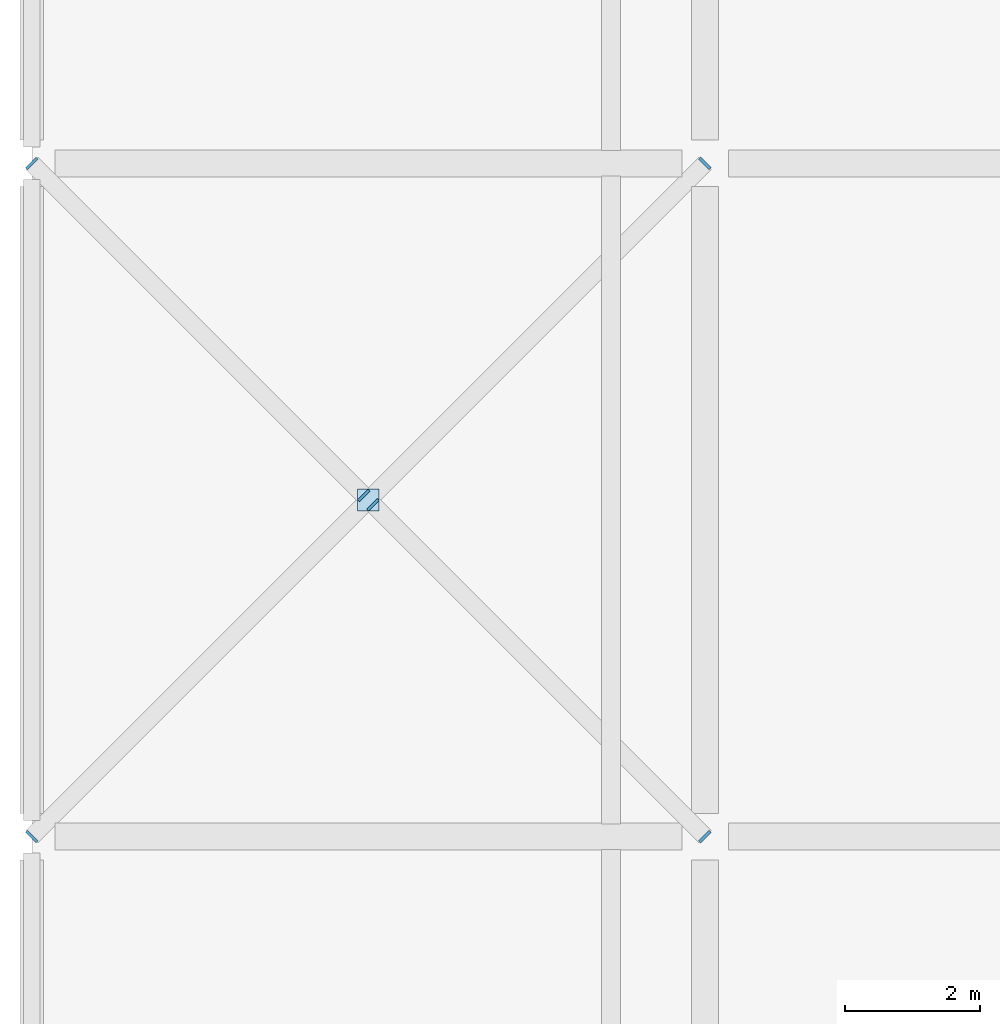
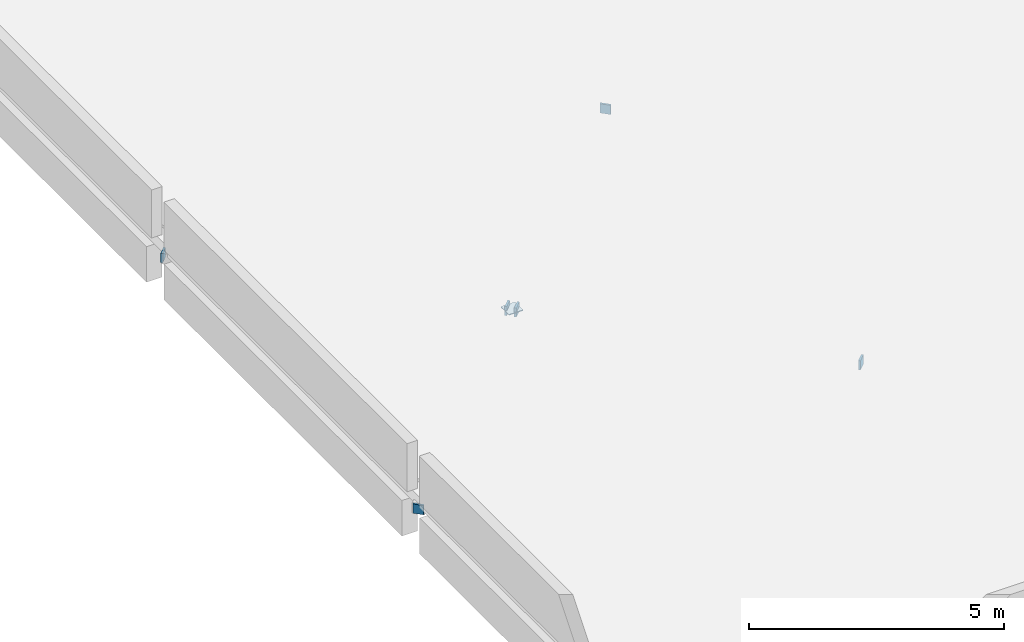
# One storey, part 18 of 39: 7 plates.
"""IFC4 building model written with IfcOpenShell, lengths in metres."""

from ifc_helpers import new_model, si_unit, direction, frame, origin, origin_2d, place, context, subcontext, project, spatial, rectangle, extrude, material, layer, layer_set, type_object, element, save


model = new_model("IFC4")

# Units and contexts
model_context = context("Model", 3, precision=1e-05, world=origin(), true_north=direction((0.0, 1.0)))
body_context = subcontext(model_context, "Body", "Model", "MODEL_VIEW")
ifc_project = project(units=[si_unit("LENGTHUNIT", "METRE"), si_unit("AREAUNIT", "SQUARE_METRE"), si_unit("VOLUMEUNIT", "CUBIC_METRE"), si_unit("PLANEANGLEUNIT", "RADIAN"), si_unit("MASSUNIT", "GRAM", prefix="KILO")], contexts=[model_context])

# Site, building, storey
site_placement = place(None, origin())
site = spatial("IfcSite", under=ifc_project, at=site_placement, CompositionType="ELEMENT")
building_placement = place(site_placement, origin())
building = spatial("IfcBuilding", under=site, at=building_placement, Name="Corvandel Quay Wholesale Market", CompositionType="ELEMENT")
storey_placement = place(building_placement, frame((0.0, 0.0, 15.0)))
storey = spatial("IfcBuildingStorey", under=building, at=storey_placement, Name="L03", CompositionType="ELEMENT", Elevation=15.0)

# Plates
ifc_material = material(Name="Steel A572 Grade 50", Category="steel")
ifc_layer_1 = layer(ifc_material, 0.044921875)
ifc_layer_set_1 = layer_set([ifc_layer_1], Name="Steel A572 Grade 50")
plate_type_1 = type_object("IfcPlateType", Name="Steel Brace End Cap Plate PLT02 45mm", PredefinedType="SHEET", material=ifc_layer_set_1)
for number, where, z_axis, x_axis, name in (
    (1, (20.00146484375, 20.00146484375, -0.41015625), (0.0, 0.0, 1.0), (-0.707106781187, 0.707106781187, 0.0), "HSS Cap Plate PLT-0149"),
    (2, (29.99853515625, 29.99853515625, -0.41015625), (0.0, 0.0, 1.0), (-0.707106781187, 0.707106781187, 0.0), "HSS Cap Plate PLT-0150"),
    (3, (29.99853515625, 20.00146484375, -0.41015625), (0.0, 0.0, 1.0), (0.707106781187, 0.707106781187, 0.0), "HSS Cap Plate PLT-0152"),
    (4, (25.068603515625, 24.931396484375, -0.41015625), (0.0, 0.0, 1.0), (0.707106781187, 0.707106781187, 0.0), "HSS Cap Plate PLT-0153"),
    (5, (24.931396484375, 25.068603515625, -0.41015625), (0.0, 0.0, 1.0), (0.707106781187, 0.707106781187, 0.0), "HSS Cap Plate PLT-0154"),
    (6, (20.00146484375, 29.99853515625, -0.41015625), (0.0, 0.0, 1.0), (0.707106781187, 0.707106781187, 0.0), "HSS Cap Plate PLT-0155"),
):
    element("IfcPlate", number, at=place(storey_placement, frame(where, z_axis=z_axis, x_axis=x_axis)), inside=storey, type_object=plate_type_1, Name=name, PredefinedType="SHEET", context=body_context, shape_type="SweptSolid", body=[
        extrude(rectangle(XDim=0.219970703125, YDim=0.044921875, at=origin_2d()), origin(), (0.0, 0.0, 1.0), 0.219970703125),
    ])
ifc_layer_2 = layer(ifc_material, 0.02001953125)
ifc_layer_set_2 = layer_set([ifc_layer_2], Name="Steel A572 Grade 50")
plate_type_2 = type_object("IfcPlateType", Name="Steel HSS End Cap Plate PLT01 20mm", PredefinedType="SHEET", material=ifc_layer_set_2)
plate_placement = place(storey_placement, frame((25.0, 25.0, -0.31005859375), z_axis=(0.0, 0.0, 1.0), x_axis=(1.0, 0.0, 0.0)))
element("IfcPlate", 7, at=plate_placement, inside=storey, type_object=plate_type_2, Name="X-Brace Node Gusset PLT-0151", PredefinedType="SHEET", context=body_context, shape_type="SweptSolid", body=[
    extrude(rectangle(XDim=0.320068359375, YDim=0.320068359375, at=origin_2d()), origin(), (0.0, 0.0, 1.0), 0.02001953125),
])

save(model, "model.ifc")
